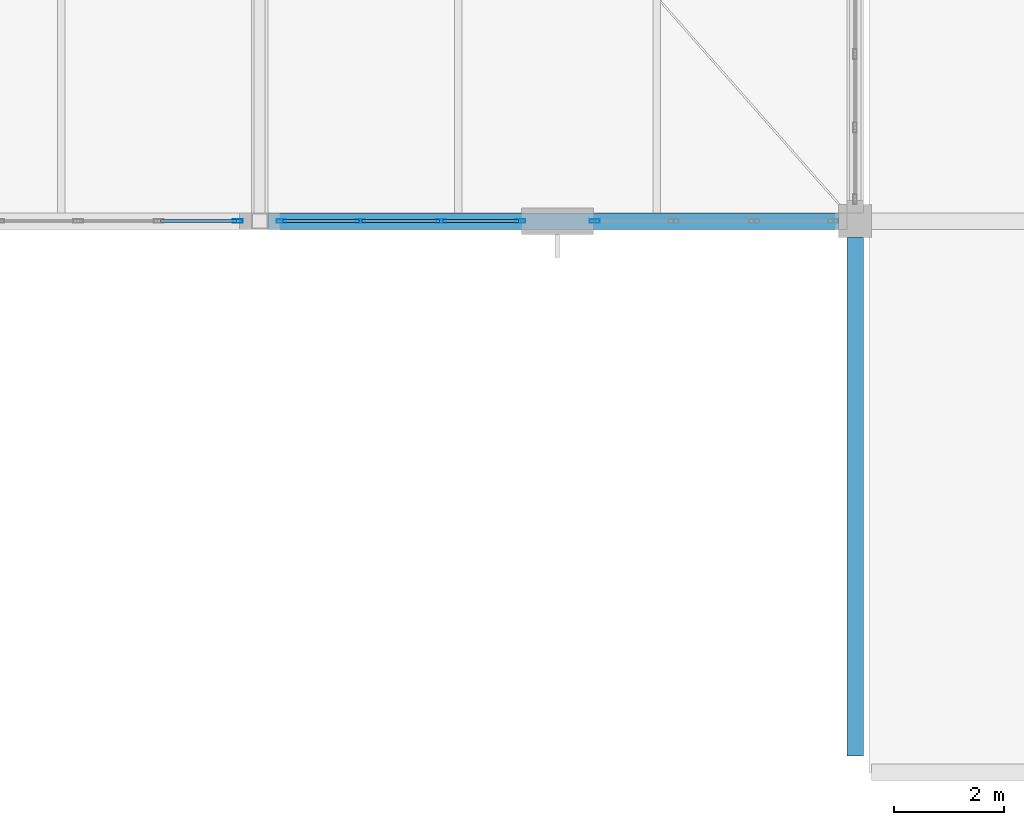
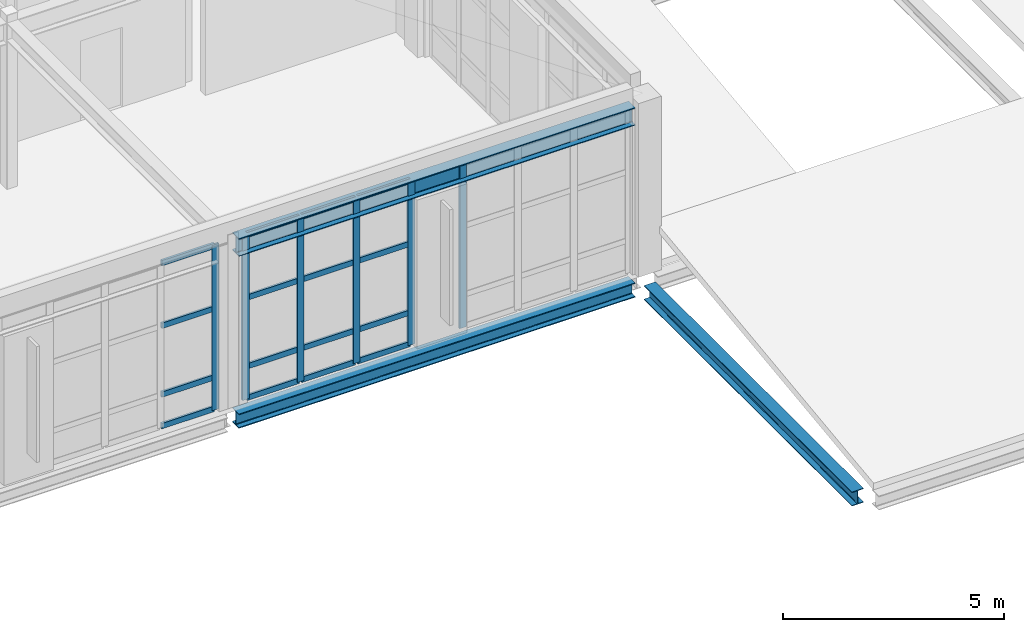
# One storey, part 31 of 86: 22 members, 3 beams, 3 elements without a shape of their own.
"""IFC4 building model written with IfcOpenShell, lengths in metres."""

from ifc_helpers import new_model, si_unit, direction, frame, origin, origin_2d, place, context, subcontext, project, spatial, hollow_rectangle, i_section, extrude, material, layer, layer_set, material_profile, profile_set, type_object, element, aggregate, save


model = new_model("IFC4")

# Units and contexts
model_context = context("Model", 3, precision=1e-05, world=origin(), true_north=direction((0.0, 1.0)))
body_context = subcontext(model_context, "Body", "Model", "MODEL_VIEW")
ifc_project = project(units=[si_unit("LENGTHUNIT", "METRE"), si_unit("AREAUNIT", "SQUARE_METRE"), si_unit("VOLUMEUNIT", "CUBIC_METRE"), si_unit("PLANEANGLEUNIT", "RADIAN"), si_unit("MASSUNIT", "GRAM", prefix="KILO")], contexts=[model_context])

# Site, building, storey
site_placement = place(None, origin())
site = spatial("IfcSite", under=ifc_project, at=site_placement, CompositionType="ELEMENT")
building_placement = place(site_placement, origin())
building = spatial("IfcBuilding", under=site, at=building_placement, Name="Tasgan Crest Museum", CompositionType="ELEMENT")
storey_placement = place(building_placement, frame((0.0, 0.0, 24.0)))
storey = spatial("IfcBuildingStorey", under=building, at=storey_placement, Name="L04", CompositionType="ELEMENT", Elevation=24.0)

# Beams
ifc_material_1 = material(Name="Steel S355J2", Category="steel")
ifc_material_profile_1 = material_profile(ifc_material_1, i_section(OverallWidth=0.300048828125, OverallDepth=0.389892578125, WebThickness=0.010986328125, FlangeThickness=0.01904296875, FilletRadius=0.027099609375, at=origin_2d()), Name="HEA 400")
ifc_profile_set_1 = profile_set([ifc_material_profile_1], Name="Steel S355J2")
beam_type_1 = type_object("IfcBeamType", Name="BM-G-HEA400", PredefinedType="BEAM", material=ifc_profile_set_1)
beam_1_placement = place(storey_placement, frame((108.0, 30.294921875, -0.47509765625), z_axis=(0.0, 1.0, 0.0), x_axis=(-1.0, 0.0, 0.0)))
element("IfcBeam", 1, at=beam_1_placement, inside=storey, type_object=beam_type_1, Name="East upper archive south roof beam 11 30.0", PredefinedType="BEAM", context=body_context, shape_type="SweptSolid", body=[
    extrude(i_section(OverallWidth=0.300048828125, OverallDepth=0.389892578125, WebThickness=0.010986328125, FlangeThickness=0.01904296875, FilletRadius=0.027099609375, at=origin_2d()), origin(), (0.0, 0.0, 1.0), 9.41015625),
])
ifc_material_2 = material(Name="Steel S355J2", Category="steel")
ifc_material_profile_2 = material_profile(ifc_material_2, i_section(OverallWidth=0.300048828125, OverallDepth=0.489990234375, WebThickness=0.011962890625, FlangeThickness=0.02294921875, FilletRadius=0.027099609375, at=origin_2d()), Name="HEA 500")
ifc_profile_set_2 = profile_set([ifc_material_profile_2], Name="Steel S355J2")
beam_type_2 = type_object("IfcBeamType", Name="BM-G-HEA500", PredefinedType="BEAM", material=ifc_profile_set_2)
beam_2_placement = place(storey_placement, frame((97.345947265625, 40.0, 4.35498046875), z_axis=(1.0, 0.0, 0.0), x_axis=(0.0, 1.0, 0.0)))
element("IfcBeam", 2, at=beam_2_placement, inside=storey, type_object=beam_type_2, Name="Winter-garden roof girder E 97.2-108.0", PredefinedType="BEAM", context=body_context, shape_type="SweptSolid", body=[
    extrude(i_section(OverallWidth=0.300048828125, OverallDepth=0.489990234375, WebThickness=0.011962890625, FlangeThickness=0.02294921875, FilletRadius=0.027099609375, at=origin_2d()), origin(), (0.0, 0.0, 1.0), 10.358154296875),
])
ifc_material_3 = material(Name="Steel S355J2", Category="steel")
ifc_material_profile_3 = material_profile(ifc_material_3, i_section(OverallWidth=0.300048828125, OverallDepth=0.39990234375, WebThickness=0.013427734375, FlangeThickness=0.02392578125, FilletRadius=0.027099609375, at=origin_2d()), Name="HEB 400")
ifc_profile_set_3 = profile_set([ifc_material_profile_3], Name="Steel S355J2")
beam_type_3 = type_object("IfcBeamType", Name="BM-G-HEB400", PredefinedType="BEAM", material=ifc_profile_set_3)
beam_3_placement = place(storey_placement, frame((97.345947265625, 40.0, -0.43994140625), z_axis=(1.0, 0.0, 0.0), x_axis=(0.0, 1.0, 0.0)))
element("IfcBeam", 3, at=beam_3_placement, inside=storey, type_object=beam_type_3, Name="Girder L04 E 97.2-108.0", PredefinedType="BEAM", context=body_context, shape_type="SweptSolid", body=[
    extrude(i_section(OverallWidth=0.300048828125, OverallDepth=0.39990234375, WebThickness=0.013427734375, FlangeThickness=0.02392578125, FilletRadius=0.027099609375, at=origin_2d()), origin(), (0.0, 0.0, 1.0), 10.358154296875),
])

# Curtain wall, member
ifc_material_4 = material(Name="Triple-Glazed Aluminium Curtain Wall", Category="aluminium")
ifc_layer = layer(ifc_material_4, 0.179931640625, Name="CW-DRUM-X-48")
ifc_layer_set = layer_set([ifc_layer], Name="Triple-Glazed Aluminium Curtain Wall")
curtain_wall_type = type_object("IfcCurtainWallType", Name="CW-DRUM-X-48", PredefinedType="NOTDEFINED", material=ifc_layer_set)
curtain_wall_1_placement = place(storey_placement, origin())
curtain_wall_1 = element("IfcCurtainWall", 4, at=curtain_wall_1_placement, inside=storey, type_object=curtain_wall_type, Name="Curtain wall L04 192", PredefinedType="NOTDEFINED")
ifc_material_5 = material(Name="Anodised Aluminium", Category="aluminium")
ifc_material_profile_4 = material_profile(ifc_material_5, hollow_rectangle(XDim=0.06494140625, YDim=0.179931640625, WallThickness=0.0048828125, at=origin_2d()), Name="ALU MULLION 180x65x5")
ifc_profile_set_4 = profile_set([ifc_material_profile_4], Name="Anodised Aluminium")
member_type_1 = type_object("IfcMemberType", Name="CW-MULLION-180", PredefinedType="MULLION", material=ifc_profile_set_4)
member_1_placement = place(storey_placement, frame((96.804931640625, 40.0, 0.0), z_axis=(0.0, 0.0, 1.0), x_axis=(0.0, 1.0, 0.0)))
member_1 = element("IfcMember", 5, at=member_1_placement, type_object=member_type_1, Name="CW03 mullion 4", PredefinedType="MULLION", context=body_context, shape_type="SweptSolid", body=[
    extrude(hollow_rectangle(XDim=0.06494140625, YDim=0.179931640625, WallThickness=0.0048828125, at=origin_2d()), origin(), (0.0, 0.0, 1.0), 4.56005859375),
])

# Curtain wall, members
curtain_wall_2_placement = place(storey_placement, origin())
curtain_wall_2 = element("IfcCurtainWall", 6, at=curtain_wall_2_placement, inside=storey, type_object=curtain_wall_type, Name="Curtain wall L04 193", PredefinedType="NOTDEFINED")
member_2_placement = place(storey_placement, frame((97.594970703125, 40.0, 0.0), z_axis=(0.0, 0.0, 1.0), x_axis=(0.0, 1.0, 0.0)))
member_2 = element("IfcMember", 7, at=member_2_placement, type_object=member_type_1, Name="CW03 mullion 1", PredefinedType="MULLION", context=body_context, shape_type="SweptSolid", body=[
    extrude(hollow_rectangle(XDim=0.06494140625, YDim=0.179931640625, WallThickness=0.0048828125, at=origin_2d()), origin(), (0.0, 0.0, 1.0), 4.56005859375),
])
member_3_placement = place(storey_placement, frame((99.0283203125, 40.0, 0.0), z_axis=(0.0, 0.0, 1.0), x_axis=(0.0, 1.0, 0.0)))
member_3 = element("IfcMember", 8, at=member_3_placement, type_object=member_type_1, Name="CW03 mullion 2", PredefinedType="MULLION", context=body_context, shape_type="SweptSolid", body=[
    extrude(hollow_rectangle(XDim=0.06494140625, YDim=0.179931640625, WallThickness=0.0048828125, at=origin_2d()), origin(), (0.0, 0.0, 1.0), 4.56005859375),
])
member_4_placement = place(storey_placement, frame((100.49169921875, 40.0, 0.0), z_axis=(0.0, 0.0, 1.0), x_axis=(0.0, 1.0, 0.0)))
member_4 = element("IfcMember", 9, at=member_4_placement, type_object=member_type_1, Name="CW03 mullion 3", PredefinedType="MULLION", context=body_context, shape_type="SweptSolid", body=[
    extrude(hollow_rectangle(XDim=0.06494140625, YDim=0.179931640625, WallThickness=0.0048828125, at=origin_2d()), origin(), (0.0, 0.0, 1.0), 4.56005859375),
])
member_5_placement = place(storey_placement, frame((101.925048828125, 40.0, 0.0), z_axis=(0.0, 0.0, 1.0), x_axis=(0.0, 1.0, 0.0)))
member_5 = element("IfcMember", 10, at=member_5_placement, type_object=member_type_1, Name="CW03 mullion 4", PredefinedType="MULLION", context=body_context, shape_type="SweptSolid", body=[
    extrude(hollow_rectangle(XDim=0.06494140625, YDim=0.179931640625, WallThickness=0.0048828125, at=origin_2d()), origin(), (0.0, 0.0, 1.0), 4.56005859375),
])

# Curtain wall, member
curtain_wall_3_placement = place(storey_placement, origin())
curtain_wall_3 = element("IfcCurtainWall", 11, at=curtain_wall_3_placement, inside=storey, type_object=curtain_wall_type, Name="Curtain wall L04 194", PredefinedType="NOTDEFINED")
member_6_placement = place(storey_placement, frame((103.27490234375, 40.0, 0.0), z_axis=(0.0, 0.0, 1.0), x_axis=(0.0, 1.0, 0.0)))
member_6 = element("IfcMember", 12, at=member_6_placement, type_object=member_type_1, Name="CW03 mullion 1", PredefinedType="MULLION", context=body_context, shape_type="SweptSolid", body=[
    extrude(hollow_rectangle(XDim=0.06494140625, YDim=0.179931640625, WallThickness=0.0048828125, at=origin_2d()), origin(), (0.0, 0.0, 1.0), 4.56005859375),
])
aggregate(curtain_wall_3, [member_6])

# Member
ifc_material_6 = material(Name="Anodised Aluminium", Category="aluminium")
ifc_material_profile_5 = material_profile(ifc_material_6, hollow_rectangle(XDim=0.06005859375, YDim=0.14990234375, WallThickness=0.0048828125, at=origin_2d()), Name="ALU TRANSOM 150x60x5")
ifc_profile_set_5 = profile_set([ifc_material_profile_5], Name="Anodised Aluminium")
member_type_2 = type_object("IfcMemberType", Name="CW-TRANSOM-150", PredefinedType="USERDEFINED", material=ifc_profile_set_5)
member_7_placement = place(storey_placement, frame((95.401611328125, 40.0, 0.030029296875), z_axis=(1.0, 0.0, 0.0), x_axis=(0.0, 1.0, 0.0)))
member_7 = element("IfcMember", 13, at=member_7_placement, type_object=member_type_2, Name="CW03 transom 3.1", ObjectType="TRANSOM", PredefinedType="USERDEFINED", context=body_context, shape_type="SweptSolid", body=[
    extrude(hollow_rectangle(XDim=0.06005859375, YDim=0.14990234375, WallThickness=0.0048828125, at=origin_2d()), origin(), (0.0, 0.0, 1.0), 1.373291015625),
])

member_8_placement = place(storey_placement, frame((95.401611328125, 40.0, 0.89990234375), z_axis=(1.0, 0.0, 0.0), x_axis=(0.0, 1.0, 0.0)))
member_8 = element("IfcMember", 14, at=member_8_placement, type_object=member_type_2, Name="CW03 transom 3.2", ObjectType="TRANSOM", PredefinedType="USERDEFINED", context=body_context, shape_type="SweptSolid", body=[
    extrude(hollow_rectangle(XDim=0.06005859375, YDim=0.14990234375, WallThickness=0.0048828125, at=origin_2d()), origin(), (0.0, 0.0, 1.0), 1.373291015625),
])

member_9_placement = place(storey_placement, frame((95.401611328125, 40.0, 2.800048828125), z_axis=(1.0, 0.0, 0.0), x_axis=(0.0, 1.0, 0.0)))
member_9 = element("IfcMember", 15, at=member_9_placement, type_object=member_type_2, Name="CW03 transom 3.3", ObjectType="TRANSOM", PredefinedType="USERDEFINED", context=body_context, shape_type="SweptSolid", body=[
    extrude(hollow_rectangle(XDim=0.06005859375, YDim=0.14990234375, WallThickness=0.0048828125, at=origin_2d()), origin(), (0.0, 0.0, 1.0), 1.373291015625),
])

member_10_placement = place(storey_placement, frame((95.401611328125, 40.0, 4.530029296875), z_axis=(1.0, 0.0, 0.0), x_axis=(0.0, 1.0, 0.0)))
member_10 = element("IfcMember", 16, at=member_10_placement, type_object=member_type_2, Name="CW03 transom 3.4", ObjectType="TRANSOM", PredefinedType="USERDEFINED", context=body_context, shape_type="SweptSolid", body=[
    extrude(hollow_rectangle(XDim=0.06005859375, YDim=0.14990234375, WallThickness=0.0048828125, at=origin_2d()), origin(), (0.0, 0.0, 1.0), 1.373291015625),
])

aggregate(curtain_wall_1, [member_1, member_7, member_8, member_9, member_10])

member_11_placement = place(storey_placement, frame((97.625, 40.0, 0.030029296875), z_axis=(1.0, 0.0, 0.0), x_axis=(0.0, 1.0, 0.0)))
member_11 = element("IfcMember", 17, at=member_11_placement, type_object=member_type_2, Name="CW03 transom 1.1", ObjectType="TRANSOM", PredefinedType="USERDEFINED", context=body_context, shape_type="SweptSolid", body=[
    extrude(hollow_rectangle(XDim=0.06005859375, YDim=0.14990234375, WallThickness=0.0048828125, at=origin_2d()), origin(), (0.0, 0.0, 1.0), 1.373291015625),
])

member_12_placement = place(storey_placement, frame((97.625, 40.0, 0.89990234375), z_axis=(1.0, 0.0, 0.0), x_axis=(0.0, 1.0, 0.0)))
member_12 = element("IfcMember", 18, at=member_12_placement, type_object=member_type_2, Name="CW03 transom 1.2", ObjectType="TRANSOM", PredefinedType="USERDEFINED", context=body_context, shape_type="SweptSolid", body=[
    extrude(hollow_rectangle(XDim=0.06005859375, YDim=0.14990234375, WallThickness=0.0048828125, at=origin_2d()), origin(), (0.0, 0.0, 1.0), 1.373291015625),
])

member_13_placement = place(storey_placement, frame((97.625, 40.0, 2.800048828125), z_axis=(1.0, 0.0, 0.0), x_axis=(0.0, 1.0, 0.0)))
member_13 = element("IfcMember", 19, at=member_13_placement, type_object=member_type_2, Name="CW03 transom 1.3", ObjectType="TRANSOM", PredefinedType="USERDEFINED", context=body_context, shape_type="SweptSolid", body=[
    extrude(hollow_rectangle(XDim=0.06005859375, YDim=0.14990234375, WallThickness=0.0048828125, at=origin_2d()), origin(), (0.0, 0.0, 1.0), 1.373291015625),
])

member_14_placement = place(storey_placement, frame((97.625, 40.0, 4.530029296875), z_axis=(1.0, 0.0, 0.0), x_axis=(0.0, 1.0, 0.0)))
member_14 = element("IfcMember", 20, at=member_14_placement, type_object=member_type_2, Name="CW03 transom 1.4", ObjectType="TRANSOM", PredefinedType="USERDEFINED", context=body_context, shape_type="SweptSolid", body=[
    extrude(hollow_rectangle(XDim=0.06005859375, YDim=0.14990234375, WallThickness=0.0048828125, at=origin_2d()), origin(), (0.0, 0.0, 1.0), 1.373291015625),
])

member_15_placement = place(storey_placement, frame((99.058349609375, 40.0, 0.030029296875), z_axis=(1.0, 0.0, 0.0), x_axis=(0.0, 1.0, 0.0)))
member_15 = element("IfcMember", 21, at=member_15_placement, type_object=member_type_2, Name="CW03 transom 2.1", ObjectType="TRANSOM", PredefinedType="USERDEFINED", context=body_context, shape_type="SweptSolid", body=[
    extrude(hollow_rectangle(XDim=0.06005859375, YDim=0.14990234375, WallThickness=0.0048828125, at=origin_2d()), origin(), (0.0, 0.0, 1.0), 1.4033203125),
])

member_16_placement = place(storey_placement, frame((99.058349609375, 40.0, 0.89990234375), z_axis=(1.0, 0.0, 0.0), x_axis=(0.0, 1.0, 0.0)))
member_16 = element("IfcMember", 22, at=member_16_placement, type_object=member_type_2, Name="CW03 transom 2.2", ObjectType="TRANSOM", PredefinedType="USERDEFINED", context=body_context, shape_type="SweptSolid", body=[
    extrude(hollow_rectangle(XDim=0.06005859375, YDim=0.14990234375, WallThickness=0.0048828125, at=origin_2d()), origin(), (0.0, 0.0, 1.0), 1.4033203125),
])

member_17_placement = place(storey_placement, frame((99.058349609375, 40.0, 2.800048828125), z_axis=(1.0, 0.0, 0.0), x_axis=(0.0, 1.0, 0.0)))
member_17 = element("IfcMember", 23, at=member_17_placement, type_object=member_type_2, Name="CW03 transom 2.3", ObjectType="TRANSOM", PredefinedType="USERDEFINED", context=body_context, shape_type="SweptSolid", body=[
    extrude(hollow_rectangle(XDim=0.06005859375, YDim=0.14990234375, WallThickness=0.0048828125, at=origin_2d()), origin(), (0.0, 0.0, 1.0), 1.4033203125),
])

member_18_placement = place(storey_placement, frame((99.058349609375, 40.0, 4.530029296875), z_axis=(1.0, 0.0, 0.0), x_axis=(0.0, 1.0, 0.0)))
member_18 = element("IfcMember", 24, at=member_18_placement, type_object=member_type_2, Name="CW03 transom 2.4", ObjectType="TRANSOM", PredefinedType="USERDEFINED", context=body_context, shape_type="SweptSolid", body=[
    extrude(hollow_rectangle(XDim=0.06005859375, YDim=0.14990234375, WallThickness=0.0048828125, at=origin_2d()), origin(), (0.0, 0.0, 1.0), 1.4033203125),
])

member_19_placement = place(storey_placement, frame((100.521728515625, 40.0, 0.030029296875), z_axis=(1.0, 0.0, 0.0), x_axis=(0.0, 1.0, 0.0)))
member_19 = element("IfcMember", 25, at=member_19_placement, type_object=member_type_2, Name="CW03 transom 3.1", ObjectType="TRANSOM", PredefinedType="USERDEFINED", context=body_context, shape_type="SweptSolid", body=[
    extrude(hollow_rectangle(XDim=0.06005859375, YDim=0.14990234375, WallThickness=0.0048828125, at=origin_2d()), origin(), (0.0, 0.0, 1.0), 1.373291015625),
])

member_20_placement = place(storey_placement, frame((100.521728515625, 40.0, 0.89990234375), z_axis=(1.0, 0.0, 0.0), x_axis=(0.0, 1.0, 0.0)))
member_20 = element("IfcMember", 26, at=member_20_placement, type_object=member_type_2, Name="CW03 transom 3.2", ObjectType="TRANSOM", PredefinedType="USERDEFINED", context=body_context, shape_type="SweptSolid", body=[
    extrude(hollow_rectangle(XDim=0.06005859375, YDim=0.14990234375, WallThickness=0.0048828125, at=origin_2d()), origin(), (0.0, 0.0, 1.0), 1.373291015625),
])

member_21_placement = place(storey_placement, frame((100.521728515625, 40.0, 2.800048828125), z_axis=(1.0, 0.0, 0.0), x_axis=(0.0, 1.0, 0.0)))
member_21 = element("IfcMember", 27, at=member_21_placement, type_object=member_type_2, Name="CW03 transom 3.3", ObjectType="TRANSOM", PredefinedType="USERDEFINED", context=body_context, shape_type="SweptSolid", body=[
    extrude(hollow_rectangle(XDim=0.06005859375, YDim=0.14990234375, WallThickness=0.0048828125, at=origin_2d()), origin(), (0.0, 0.0, 1.0), 1.373291015625),
])

member_22_placement = place(storey_placement, frame((100.521728515625, 40.0, 4.530029296875), z_axis=(1.0, 0.0, 0.0), x_axis=(0.0, 1.0, 0.0)))
member_22 = element("IfcMember", 28, at=member_22_placement, type_object=member_type_2, Name="CW03 transom 3.4", ObjectType="TRANSOM", PredefinedType="USERDEFINED", context=body_context, shape_type="SweptSolid", body=[
    extrude(hollow_rectangle(XDim=0.06005859375, YDim=0.14990234375, WallThickness=0.0048828125, at=origin_2d()), origin(), (0.0, 0.0, 1.0), 1.373291015625),
])

aggregate(curtain_wall_2, [member_2, member_3, member_4, member_5, member_11, member_12, member_13, member_14, member_15, member_16, member_17, member_18, member_19, member_20, member_21, member_22])

save(model, "model.ifc")
